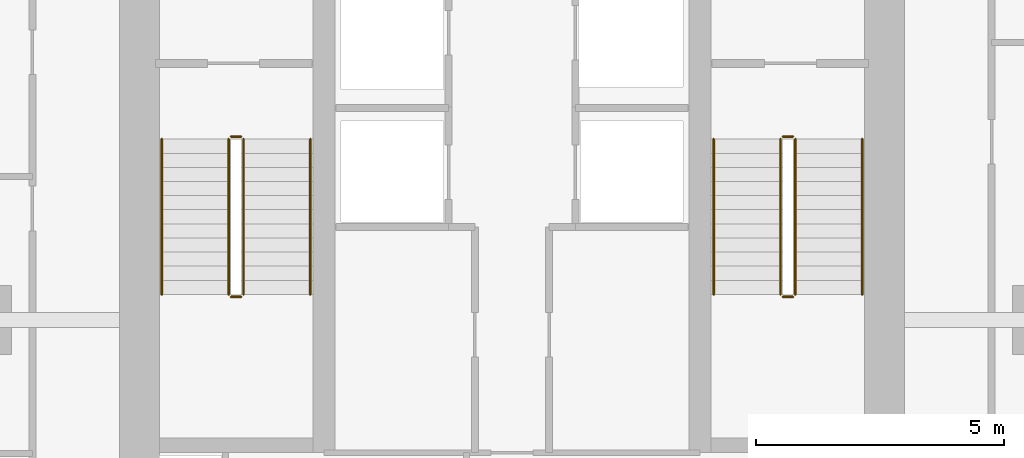
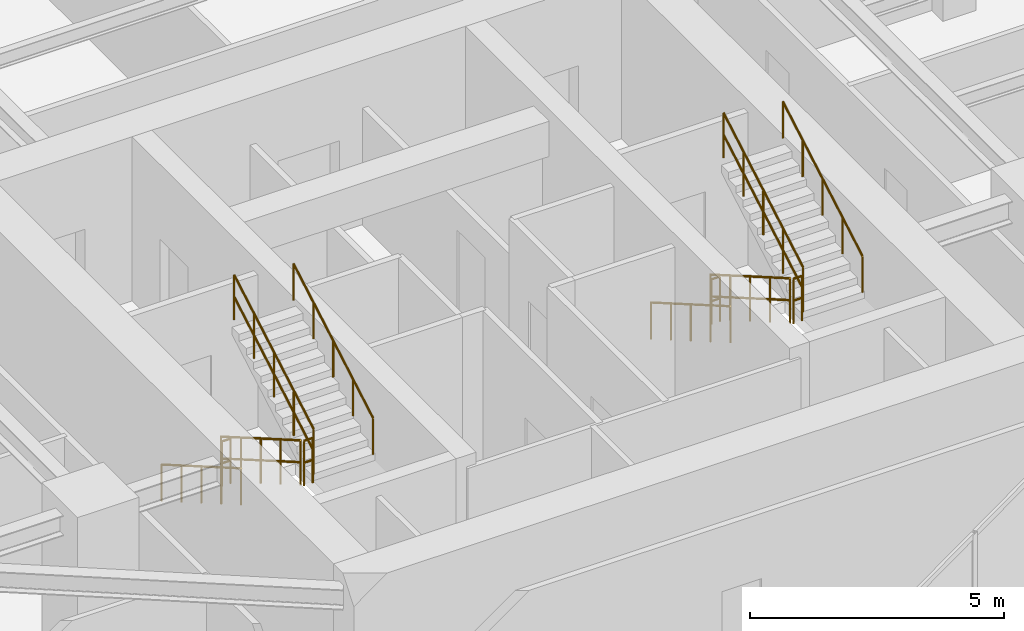
# One storey, part 19 of 20: 12 railings.
"""IFC4 building model written with IfcOpenShell, lengths in metres."""

from ifc_helpers import new_model, si_unit, direction, frame, origin, origin_2d, place, context, subcontext, project, spatial, circle, extrude, material, layer, layer_set, type_object, element, save


model = new_model("IFC4")

# Units and contexts
model_context = context("Model", 3, precision=1e-05, world=origin(), true_north=direction((0.0, 1.0)))
body_context = subcontext(model_context, "Body", "Model", "MODEL_VIEW")
ifc_project = project(units=[si_unit("LENGTHUNIT", "METRE"), si_unit("AREAUNIT", "SQUARE_METRE"), si_unit("VOLUMEUNIT", "CUBIC_METRE"), si_unit("PLANEANGLEUNIT", "RADIAN"), si_unit("MASSUNIT", "GRAM", prefix="KILO")], contexts=[model_context])

# Site, building, storey
site_placement = place(None, origin())
site = spatial("IfcSite", under=ifc_project, at=site_placement, CompositionType="ELEMENT")
building_placement = place(site_placement, origin())
building = spatial("IfcBuilding", under=site, at=building_placement, Name="Krantzveldt Concourse Tower", CompositionType="ELEMENT")
storey_placement = place(building_placement, frame((0.0, 0.0, 295.050048828125)))
storey = spatial("IfcBuildingStorey", under=building, at=storey_placement, Name="L72", CompositionType="ELEMENT", Elevation=295.050048828125)

# Railings
ifc_material = material(Name="Stainless steel 316L", Category="steel")
ifc_layer_1 = layer(ifc_material, 0.06005859375, Name="Stainless steel 316L", Category="steel")
ifc_layer_set_1 = layer_set([ifc_layer_1], Name="Stainless steel 316L (RL-GUARD-1120)")
railing_type_1 = type_object("IfcRailingType", Name="RL-GUARD-1120", PredefinedType="GUARDRAIL", material=ifc_layer_set_1)
railing_1_placement = place(storey_placement, frame((30.280029296875, 19.550048828125, 0.16455078125)))
element("IfcRailing", 1, at=railing_1_placement, inside=storey, type_object=railing_type_1, Name="L72 ST-1 stair guard 1", PredefinedType="GUARDRAIL", context=body_context, shape_type="SweptSolid", body=[
    extrude(circle(Radius=0.02392578125, at=origin_2d()), frame((0.0, 0.0, 1.076171875), z_axis=(0.0, -0.865989039225, 0.500062979975), x_axis=(1.0, 0.0, 0.0)), (0.0, 0.0, 1.0), 3.6201171875),
    extrude(circle(Radius=0.02392578125, at=origin_2d()), frame((0.0, 0.0, 0.550048828125), z_axis=(0.0, -0.865989039225, 0.500062979975), x_axis=(1.0, 0.0, 0.0)), (0.0, 0.0, 1.0), 3.6201171875),
    extrude(circle(Radius=0.02099609375, at=origin_2d()), origin(), (0.0, 0.0, 1.0), 1.052001953125),
    extrude(circle(Radius=0.02099609375, at=origin_2d()), frame((0.0, -0.78369140625, 0.45263671875)), (0.0, 0.0, 1.0), 1.052001953125),
    extrude(circle(Radius=0.02099609375, at=origin_2d()), frame((0.0, -1.5673828125, 0.9052734375)), (0.0, 0.0, 1.0), 1.052001953125),
    extrude(circle(Radius=0.02099609375, at=origin_2d()), frame((0.0, -2.351318359375, 1.357666015625)), (0.0, 0.0, 1.0), 1.052001953125),
    extrude(circle(Radius=0.02099609375, at=origin_2d()), frame((0.0, -3.135009765625, 1.810302734375)), (0.0, 0.0, 1.0), 1.052001953125),
])
railing_2_placement = place(storey_placement, frame((30.330078125, 16.364990234375, 1.974853515625)))
element("IfcRailing", 2, at=railing_2_placement, inside=storey, type_object=railing_type_1, Name="L72 ST-1 stair guard 2", PredefinedType="GUARDRAIL", context=body_context, shape_type="SweptSolid", body=[
    extrude(circle(Radius=0.02392578125, at=origin_2d()), frame((0.0, 0.0, 1.076171875), z_axis=(1.0, 0.0, 0.0), x_axis=(0.0, 1.0, 0.0)), (0.0, 0.0, 1.0), 0.199951171875),
    extrude(circle(Radius=0.02392578125, at=origin_2d()), frame((0.0, 0.0, 0.550048828125), z_axis=(1.0, 0.0, 0.0), x_axis=(0.0, 1.0, 0.0)), (0.0, 0.0, 1.0), 0.199951171875),
    extrude(circle(Radius=0.02099609375, at=origin_2d()), origin(), (0.0, 0.0, 1.0), 1.052001953125),
    extrude(circle(Radius=0.02099609375, at=origin_2d()), frame((0.199951171875, 0.0, 0.0)), (0.0, 0.0, 1.0), 1.052001953125),
])
railing_3_placement = place(storey_placement, frame((30.580078125, 16.4150390625, 2.1396484375)))
element("IfcRailing", 3, at=railing_3_placement, inside=storey, type_object=railing_type_1, Name="L72 ST-1 stair guard 3", PredefinedType="GUARDRAIL", context=body_context, shape_type="SweptSolid", body=[
    extrude(circle(Radius=0.02392578125, at=origin_2d()), frame((0.0, 0.0, 1.076171875), z_axis=(0.0, 0.865989039225, 0.500062979975), x_axis=(-1.0, 0.0, 0.0)), (0.0, 0.0, 1.0), 3.6201171875),
    extrude(circle(Radius=0.02392578125, at=origin_2d()), frame((0.0, 0.0, 0.550048828125), z_axis=(0.0, 0.865989039225, 0.500062979975), x_axis=(-1.0, 0.0, 0.0)), (0.0, 0.0, 1.0), 3.6201171875),
    extrude(circle(Radius=0.02099609375, at=origin_2d()), origin(), (0.0, 0.0, 1.0), 1.052001953125),
    extrude(circle(Radius=0.02099609375, at=origin_2d()), frame((0.0, 0.78369140625, 0.45263671875)), (0.0, 0.0, 1.0), 1.052001953125),
    extrude(circle(Radius=0.02099609375, at=origin_2d()), frame((0.0, 1.5673828125, 0.9052734375)), (0.0, 0.0, 1.0), 1.052001953125),
    extrude(circle(Radius=0.02099609375, at=origin_2d()), frame((0.0, 2.351318359375, 1.357666015625)), (0.0, 0.0, 1.0), 1.052001953125),
    extrude(circle(Radius=0.02099609375, at=origin_2d()), frame((0.0, 3.135009765625, 1.810302734375)), (0.0, 0.0, 1.0), 1.052001953125),
])
railing_4_placement = place(storey_placement, frame((30.330078125, 19.60009765625, 0.0)))
element("IfcRailing", 4, at=railing_4_placement, inside=storey, type_object=railing_type_1, Name="L72 ST-1 stair guard 4", PredefinedType="GUARDRAIL", context=body_context, shape_type="SweptSolid", body=[
    extrude(circle(Radius=0.02392578125, at=origin_2d()), frame((0.0, 0.0, 1.076171875), z_axis=(1.0, 0.0, 0.0), x_axis=(0.0, 1.0, 0.0)), (0.0, 0.0, 1.0), 0.199951171875),
    extrude(circle(Radius=0.02392578125, at=origin_2d()), frame((0.0, 0.0, 0.550048828125), z_axis=(1.0, 0.0, 0.0), x_axis=(0.0, 1.0, 0.0)), (0.0, 0.0, 1.0), 0.199951171875),
    extrude(circle(Radius=0.02099609375, at=origin_2d()), origin(), (0.0, 0.0, 1.0), 1.052001953125),
    extrude(circle(Radius=0.02099609375, at=origin_2d()), frame((0.199951171875, 0.0, 0.0)), (0.0, 0.0, 1.0), 1.052001953125),
])
railing_5_placement = place(storey_placement, frame((41.419921875, 19.550048828125, 0.16455078125)))
element("IfcRailing", 5, at=railing_5_placement, inside=storey, type_object=railing_type_1, Name="L72 ST-2 stair guard 1", PredefinedType="GUARDRAIL", context=body_context, shape_type="SweptSolid", body=[
    extrude(circle(Radius=0.02392578125, at=origin_2d()), frame((0.0, 0.0, 1.076171875), z_axis=(0.0, -0.865989039225, 0.500062979975), x_axis=(1.0, 0.0, 0.0)), (0.0, 0.0, 1.0), 3.6201171875),
    extrude(circle(Radius=0.02392578125, at=origin_2d()), frame((0.0, 0.0, 0.550048828125), z_axis=(0.0, -0.865989039225, 0.500062979975), x_axis=(1.0, 0.0, 0.0)), (0.0, 0.0, 1.0), 3.6201171875),
    extrude(circle(Radius=0.02099609375, at=origin_2d()), origin(), (0.0, 0.0, 1.0), 1.052001953125),
    extrude(circle(Radius=0.02099609375, at=origin_2d()), frame((0.0, -0.78369140625, 0.45263671875)), (0.0, 0.0, 1.0), 1.052001953125),
    extrude(circle(Radius=0.02099609375, at=origin_2d()), frame((0.0, -1.5673828125, 0.9052734375)), (0.0, 0.0, 1.0), 1.052001953125),
    extrude(circle(Radius=0.02099609375, at=origin_2d()), frame((0.0, -2.351318359375, 1.357666015625)), (0.0, 0.0, 1.0), 1.052001953125),
    extrude(circle(Radius=0.02099609375, at=origin_2d()), frame((0.0, -3.135009765625, 1.810302734375)), (0.0, 0.0, 1.0), 1.052001953125),
])
railing_6_placement = place(storey_placement, frame((41.469970703125, 16.364990234375, 1.974853515625)))
element("IfcRailing", 6, at=railing_6_placement, inside=storey, type_object=railing_type_1, Name="L72 ST-2 stair guard 2", PredefinedType="GUARDRAIL", context=body_context, shape_type="SweptSolid", body=[
    extrude(circle(Radius=0.02392578125, at=origin_2d()), frame((0.0, 0.0, 1.076171875), z_axis=(1.0, 0.0, 0.0), x_axis=(0.0, 1.0, 0.0)), (0.0, 0.0, 1.0), 0.199951171875),
    extrude(circle(Radius=0.02392578125, at=origin_2d()), frame((0.0, 0.0, 0.550048828125), z_axis=(1.0, 0.0, 0.0), x_axis=(0.0, 1.0, 0.0)), (0.0, 0.0, 1.0), 0.199951171875),
    extrude(circle(Radius=0.02099609375, at=origin_2d()), origin(), (0.0, 0.0, 1.0), 1.052001953125),
    extrude(circle(Radius=0.02099609375, at=origin_2d()), frame((0.199951171875, 0.0, 0.0)), (0.0, 0.0, 1.0), 1.052001953125),
])
railing_7_placement = place(storey_placement, frame((41.719970703125, 16.4150390625, 2.1396484375)))
element("IfcRailing", 7, at=railing_7_placement, inside=storey, type_object=railing_type_1, Name="L72 ST-2 stair guard 3", PredefinedType="GUARDRAIL", context=body_context, shape_type="SweptSolid", body=[
    extrude(circle(Radius=0.02392578125, at=origin_2d()), frame((0.0, 0.0, 1.076171875), z_axis=(0.0, 0.865989039225, 0.500062979975), x_axis=(-1.0, 0.0, 0.0)), (0.0, 0.0, 1.0), 3.6201171875),
    extrude(circle(Radius=0.02392578125, at=origin_2d()), frame((0.0, 0.0, 0.550048828125), z_axis=(0.0, 0.865989039225, 0.500062979975), x_axis=(-1.0, 0.0, 0.0)), (0.0, 0.0, 1.0), 3.6201171875),
    extrude(circle(Radius=0.02099609375, at=origin_2d()), origin(), (0.0, 0.0, 1.0), 1.052001953125),
    extrude(circle(Radius=0.02099609375, at=origin_2d()), frame((0.0, 0.78369140625, 0.45263671875)), (0.0, 0.0, 1.0), 1.052001953125),
    extrude(circle(Radius=0.02099609375, at=origin_2d()), frame((0.0, 1.5673828125, 0.9052734375)), (0.0, 0.0, 1.0), 1.052001953125),
    extrude(circle(Radius=0.02099609375, at=origin_2d()), frame((0.0, 2.351318359375, 1.357666015625)), (0.0, 0.0, 1.0), 1.052001953125),
    extrude(circle(Radius=0.02099609375, at=origin_2d()), frame((0.0, 3.135009765625, 1.810302734375)), (0.0, 0.0, 1.0), 1.052001953125),
])
railing_8_placement = place(storey_placement, frame((41.469970703125, 19.60009765625, 0.0)))
element("IfcRailing", 8, at=railing_8_placement, inside=storey, type_object=railing_type_1, Name="L72 ST-2 stair guard 4", PredefinedType="GUARDRAIL", context=body_context, shape_type="SweptSolid", body=[
    extrude(circle(Radius=0.02392578125, at=origin_2d()), frame((0.0, 0.0, 1.076171875), z_axis=(1.0, 0.0, 0.0), x_axis=(0.0, 1.0, 0.0)), (0.0, 0.0, 1.0), 0.199951171875),
    extrude(circle(Radius=0.02392578125, at=origin_2d()), frame((0.0, 0.0, 0.550048828125), z_axis=(1.0, 0.0, 0.0), x_axis=(0.0, 1.0, 0.0)), (0.0, 0.0, 1.0), 0.199951171875),
    extrude(circle(Radius=0.02099609375, at=origin_2d()), origin(), (0.0, 0.0, 1.0), 1.052001953125),
    extrude(circle(Radius=0.02099609375, at=origin_2d()), frame((0.199951171875, 0.0, 0.0)), (0.0, 0.0, 1.0), 1.052001953125),
])
ifc_layer_2 = layer(ifc_material, 0.050048828125, Name="Stainless steel 316L", Category="steel")
ifc_layer_set_2 = layer_set([ifc_layer_2], Name="Stainless steel 316L (RL-HANDRAIL-920)")
railing_type_2 = type_object("IfcRailingType", Name="RL-HANDRAIL-920", PredefinedType="HANDRAIL", material=ifc_layer_set_2)
railing_9_placement = place(storey_placement, frame((28.929931640625, 19.550048828125, 0.16455078125)))
element("IfcRailing", 9, at=railing_9_placement, inside=storey, type_object=railing_type_2, Name="L72 ST-1 stair handrail 1", PredefinedType="HANDRAIL", context=body_context, shape_type="SweptSolid", body=[
    extrude(circle(Radius=0.02392578125, at=origin_2d()), frame((0.0, 0.0, 0.8759765625), z_axis=(0.0, -0.865989039225, 0.500062979975), x_axis=(1.0, 0.0, 0.0)), (0.0, 0.0, 1.0), 3.6201171875),
    extrude(circle(Radius=0.02099609375, at=origin_2d()), origin(), (0.0, 0.0, 1.0), 0.851806640625),
    extrude(circle(Radius=0.02099609375, at=origin_2d()), frame((0.0, -0.78369140625, 0.45263671875)), (0.0, 0.0, 1.0), 0.851806640625),
    extrude(circle(Radius=0.02099609375, at=origin_2d()), frame((0.0, -1.5673828125, 0.9052734375)), (0.0, 0.0, 1.0), 0.851806640625),
    extrude(circle(Radius=0.02099609375, at=origin_2d()), frame((0.0, -2.351318359375, 1.357666015625)), (0.0, 0.0, 1.0), 0.851806640625),
    extrude(circle(Radius=0.02099609375, at=origin_2d()), frame((0.0, -3.135009765625, 1.810302734375)), (0.0, 0.0, 1.0), 0.851806640625),
])
railing_10_placement = place(storey_placement, frame((31.929931640625, 16.4150390625, 2.1396484375)))
element("IfcRailing", 10, at=railing_10_placement, inside=storey, type_object=railing_type_2, Name="L72 ST-1 stair handrail 2", PredefinedType="HANDRAIL", context=body_context, shape_type="SweptSolid", body=[
    extrude(circle(Radius=0.02392578125, at=origin_2d()), frame((0.0, 0.0, 0.8759765625), z_axis=(0.0, 0.865989039225, 0.500062979975), x_axis=(-1.0, 0.0, 0.0)), (0.0, 0.0, 1.0), 3.6201171875),
    extrude(circle(Radius=0.02099609375, at=origin_2d()), origin(), (0.0, 0.0, 1.0), 0.851806640625),
    extrude(circle(Radius=0.02099609375, at=origin_2d()), frame((0.0, 0.78369140625, 0.45263671875)), (0.0, 0.0, 1.0), 0.851806640625),
    extrude(circle(Radius=0.02099609375, at=origin_2d()), frame((0.0, 1.5673828125, 0.9052734375)), (0.0, 0.0, 1.0), 0.851806640625),
    extrude(circle(Radius=0.02099609375, at=origin_2d()), frame((0.0, 2.351318359375, 1.357666015625)), (0.0, 0.0, 1.0), 0.851806640625),
    extrude(circle(Radius=0.02099609375, at=origin_2d()), frame((0.0, 3.135009765625, 1.810302734375)), (0.0, 0.0, 1.0), 0.851806640625),
])
railing_11_placement = place(storey_placement, frame((40.070068359375, 19.550048828125, 0.16455078125)))
element("IfcRailing", 11, at=railing_11_placement, inside=storey, type_object=railing_type_2, Name="L72 ST-2 stair handrail 1", PredefinedType="HANDRAIL", context=body_context, shape_type="SweptSolid", body=[
    extrude(circle(Radius=0.02392578125, at=origin_2d()), frame((0.0, 0.0, 0.8759765625), z_axis=(0.0, -0.865989039225, 0.500062979975), x_axis=(1.0, 0.0, 0.0)), (0.0, 0.0, 1.0), 3.6201171875),
    extrude(circle(Radius=0.02099609375, at=origin_2d()), origin(), (0.0, 0.0, 1.0), 0.851806640625),
    extrude(circle(Radius=0.02099609375, at=origin_2d()), frame((0.0, -0.78369140625, 0.45263671875)), (0.0, 0.0, 1.0), 0.851806640625),
    extrude(circle(Radius=0.02099609375, at=origin_2d()), frame((0.0, -1.5673828125, 0.9052734375)), (0.0, 0.0, 1.0), 0.851806640625),
    extrude(circle(Radius=0.02099609375, at=origin_2d()), frame((0.0, -2.351318359375, 1.357666015625)), (0.0, 0.0, 1.0), 0.851806640625),
    extrude(circle(Radius=0.02099609375, at=origin_2d()), frame((0.0, -3.135009765625, 1.810302734375)), (0.0, 0.0, 1.0), 0.851806640625),
])
railing_12_placement = place(storey_placement, frame((43.070068359375, 16.4150390625, 2.1396484375)))
element("IfcRailing", 12, at=railing_12_placement, inside=storey, type_object=railing_type_2, Name="L72 ST-2 stair handrail 2", PredefinedType="HANDRAIL", context=body_context, shape_type="SweptSolid", body=[
    extrude(circle(Radius=0.02392578125, at=origin_2d()), frame((0.0, 0.0, 0.8759765625), z_axis=(0.0, 0.865989039225, 0.500062979975), x_axis=(-1.0, 0.0, 0.0)), (0.0, 0.0, 1.0), 3.6201171875),
    extrude(circle(Radius=0.02099609375, at=origin_2d()), origin(), (0.0, 0.0, 1.0), 0.851806640625),
    extrude(circle(Radius=0.02099609375, at=origin_2d()), frame((0.0, 0.78369140625, 0.45263671875)), (0.0, 0.0, 1.0), 0.851806640625),
    extrude(circle(Radius=0.02099609375, at=origin_2d()), frame((0.0, 1.5673828125, 0.9052734375)), (0.0, 0.0, 1.0), 0.851806640625),
    extrude(circle(Radius=0.02099609375, at=origin_2d()), frame((0.0, 2.351318359375, 1.357666015625)), (0.0, 0.0, 1.0), 0.851806640625),
    extrude(circle(Radius=0.02099609375, at=origin_2d()), frame((0.0, 3.135009765625, 1.810302734375)), (0.0, 0.0, 1.0), 0.851806640625),
])

save(model, "model.ifc")
